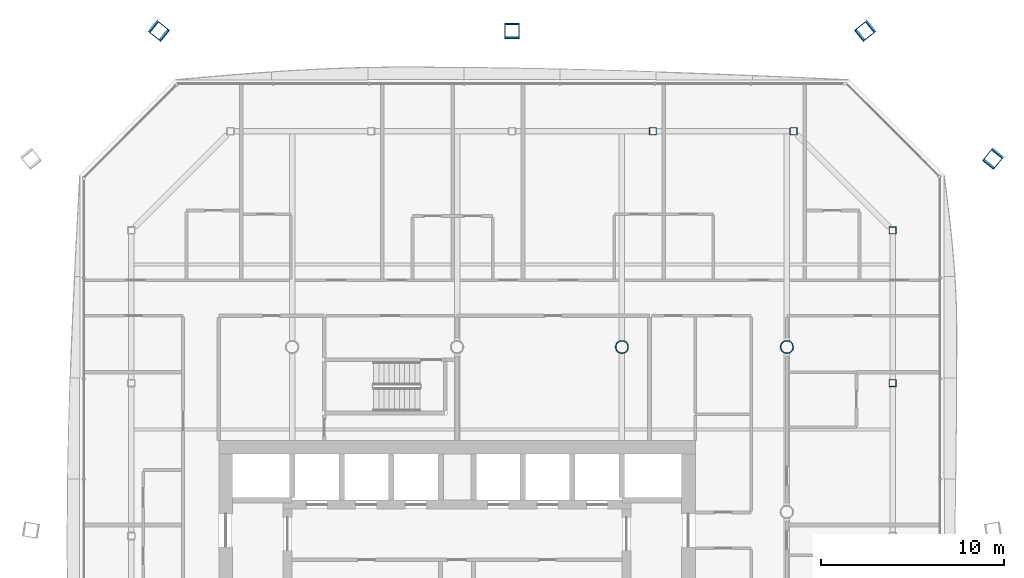
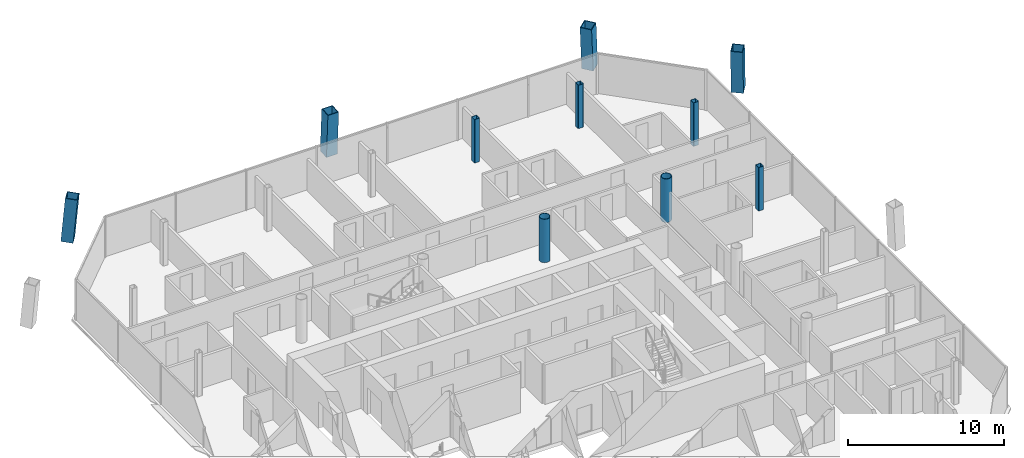
# One storey, part 3 of 22: 10 columns.
"""IFC4 building model written with IfcOpenShell, lengths in metres."""

from ifc_helpers import new_model, si_unit, direction, frame, origin, origin_2d, place, context, subcontext, project, spatial, hollow_rectangle, hollow_circle, extrude, material, material_profile, profile_set, type_object, element, save


model = new_model("IFC4")

# Units and contexts
model_context = context("Model", 3, precision=1e-05, world=origin(), true_north=direction((0.0, 1.0)))
body_context = subcontext(model_context, "Body", "Model", "MODEL_VIEW")
ifc_project = project(units=[si_unit("LENGTHUNIT", "METRE"), si_unit("AREAUNIT", "SQUARE_METRE"), si_unit("VOLUMEUNIT", "CUBIC_METRE"), si_unit("PLANEANGLEUNIT", "RADIAN"), si_unit("MASSUNIT", "GRAM", prefix="KILO")], contexts=[model_context])

# Site, building, storey
site_placement = place(None, origin())
site = spatial("IfcSite", under=ifc_project, at=site_placement, CompositionType="ELEMENT")
building_placement = place(site_placement, origin())
building = spatial("IfcBuilding", under=site, at=building_placement, Name="Tskaro Facet Tower", CompositionType="ELEMENT")
storey_placement = place(building_placement, frame((0.0, 0.0, 124.89990234375)))
storey = spatial("IfcBuildingStorey", under=building, at=storey_placement, Name="L29", CompositionType="ELEMENT", Elevation=124.89990234375)

# Columns
ifc_material_1 = material(Name="Steel S460M", Category="steel")
ifc_material_profile_1 = material_profile(ifc_material_1, hollow_rectangle(XDim=0.800048828125, YDim=0.800048828125, WallThickness=0.050048828125, at=origin_2d()), Name="BOX 800x800x50")
ifc_profile_set_1 = profile_set([ifc_material_profile_1], Name="Steel S460M")
column_type_1 = type_object("IfcColumnType", Name="BOX 800x800x50 mega column", PredefinedType="COLUMN", material=ifc_profile_set_1)
for number, where, z_axis, x_axis, name in (
    (1, (29.283935546875, 19.31103515625, 0.0), (-0.053299492964, -0.066248765751, 0.996378575184), (0.779141980058, -0.626847489356, 0.0), "BOX 800x800x50 MC06/3"),
    (2, (22.31103515625, 26.283935546875, 0.0), (-0.066248765751, -0.053299492964, 0.996378575184), (0.626847489356, -0.779141980058, 0.0), "BOX 800x800x50 MC07/3"),
):
    element("IfcColumn", number, at=place(storey_placement, frame(where, z_axis=z_axis, x_axis=x_axis)), inside=storey, type_object=column_type_1, Name=name, PredefinedType="COLUMN", context=body_context, shape_type="SweptSolid", body=[
        extrude(hollow_rectangle(XDim=0.800048828125, YDim=0.800048828125, WallThickness=0.050048828125, at=origin_2d()), origin(), (0.0, 0.0, 1.0), 3.41259765625),
    ])
column_1_placement = place(storey_placement, frame((3.0, 26.283935546875, 0.0), z_axis=(0.0, -0.053416842427, 0.998572301311), x_axis=(1.0, 0.0, 0.0)))
element("IfcColumn", 3, at=column_1_placement, inside=storey, type_object=column_type_1, Name="BOX 800x800x50 MC08/3", PredefinedType="COLUMN", context=body_context, shape_type="SweptSolid", body=[
    extrude(hollow_rectangle(XDim=0.800048828125, YDim=0.800048828125, WallThickness=0.050048828125, at=origin_2d()), origin(), (0.0, 0.0, 1.0), 3.405029296875),
])
column_2_placement = place(storey_placement, frame((-16.31103515625, 26.283935546875, 0.0), z_axis=(0.066248765751, -0.053299492964, 0.996378575184), x_axis=(0.626847489356, 0.779141980058, 0.0)))
element("IfcColumn", 4, at=column_2_placement, inside=storey, type_object=column_type_1, Name="BOX 800x800x50 MC09/3", PredefinedType="COLUMN", context=body_context, shape_type="SweptSolid", body=[
    extrude(hollow_rectangle(XDim=0.800048828125, YDim=0.800048828125, WallThickness=0.050048828125, at=origin_2d()), origin(), (0.0, 0.0, 1.0), 3.41259765625),
])
ifc_material_2 = material(Name="Steel S355J2H", Category="steel")
ifc_material_profile_2 = material_profile(ifc_material_2, hollow_circle(Radius=0.35546875, WallThickness=0.031982421875, at=origin_2d()), Name="CHS 711x32")
ifc_profile_set_2 = profile_set([ifc_material_profile_2], Name="Steel S355J2H")
column_type_2 = type_object("IfcColumnType", Name="CHS 711x32 interior column", PredefinedType="COLUMN", material=ifc_profile_set_2)
for number, where, z_axis, x_axis, name in (
    (5, (9.0, 9.0, 0.0), (0.0, 0.0, 1.0), (1.0, 0.0, 0.0), "CHS 711x32 C5E/3"),
    (6, (18.0, 9.0, 0.0), (0.0, 0.0, 1.0), (1.0, 0.0, 0.0), "CHS 711x32 C6E/3"),
):
    element("IfcColumn", number, at=place(storey_placement, frame(where, z_axis=z_axis, x_axis=x_axis)), inside=storey, type_object=column_type_2, Name=name, PredefinedType="COLUMN", context=body_context, shape_type="SweptSolid", body=[
        extrude(hollow_circle(Radius=0.35546875, WallThickness=0.031982421875, at=origin_2d()), origin(), (0.0, 0.0, 1.0), 3.400146484375),
    ])
ifc_material_profile_3 = material_profile(ifc_material_2, hollow_rectangle(XDim=0.39990234375, YDim=0.39990234375, WallThickness=0.02001953125, InnerFilletRadius=0.030029296875, OuterFilletRadius=0.050048828125, at=origin_2d()), Name="SHS 400x400x20")
ifc_profile_set_3 = profile_set([ifc_material_profile_3], Name="Steel S355J2H")
column_type_3 = type_object("IfcColumnType", Name="SHS 400x400x20 ring column", PredefinedType="COLUMN", material=ifc_profile_set_3)
for number, where, z_axis, x_axis, name in (
    (7, (23.77392578125, 7.02587890625, 0.0), (0.0, 0.0, 1.0), (1.0, 0.0, 0.0), "SHS 400x400x20 RE-4/3"),
    (8, (23.77392578125, 15.367919921875, 0.0), (0.0, 0.0, 1.0), (1.0, 0.0, 0.0), "SHS 400x400x20 RNE-1/3"),
    (9, (18.367919921875, 20.77392578125, 0.0), (0.0, 0.0, 1.0), (1.0, 0.0, 0.0), "SHS 400x400x20 RN-1/3"),
    (10, (10.68408203125, 20.77392578125, 0.0), (0.0, 0.0, 1.0), (1.0, 0.0, 0.0), "SHS 400x400x20 RN-2/3"),
):
    element("IfcColumn", number, at=place(storey_placement, frame(where, z_axis=z_axis, x_axis=x_axis)), inside=storey, type_object=column_type_3, Name=name, PredefinedType="COLUMN", context=body_context, shape_type="SweptSolid", body=[
        extrude(hollow_rectangle(XDim=0.39990234375, YDim=0.39990234375, WallThickness=0.02001953125, InnerFilletRadius=0.030029296875, OuterFilletRadius=0.050048828125, at=origin_2d()), origin(), (0.0, 0.0, 1.0), 3.400146484375),
    ])

save(model, "model.ifc")
